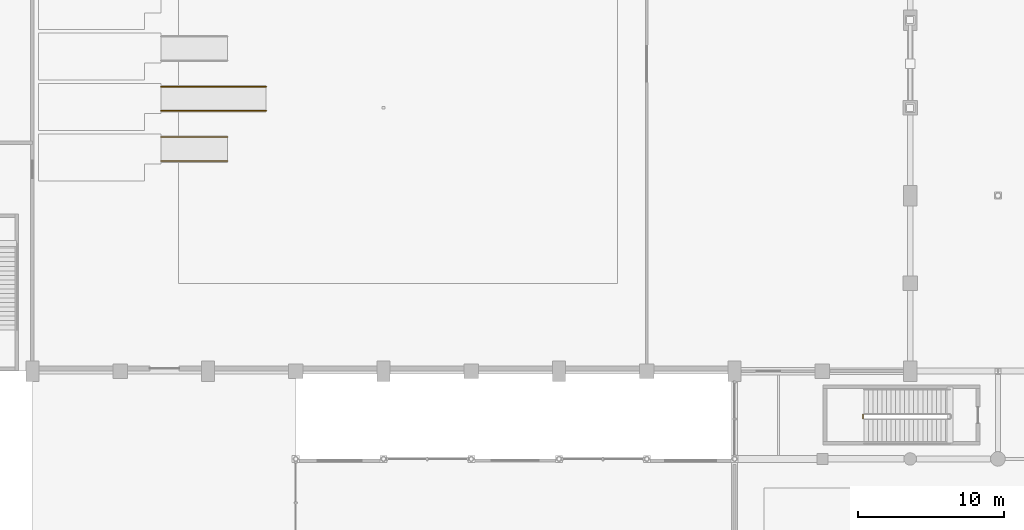
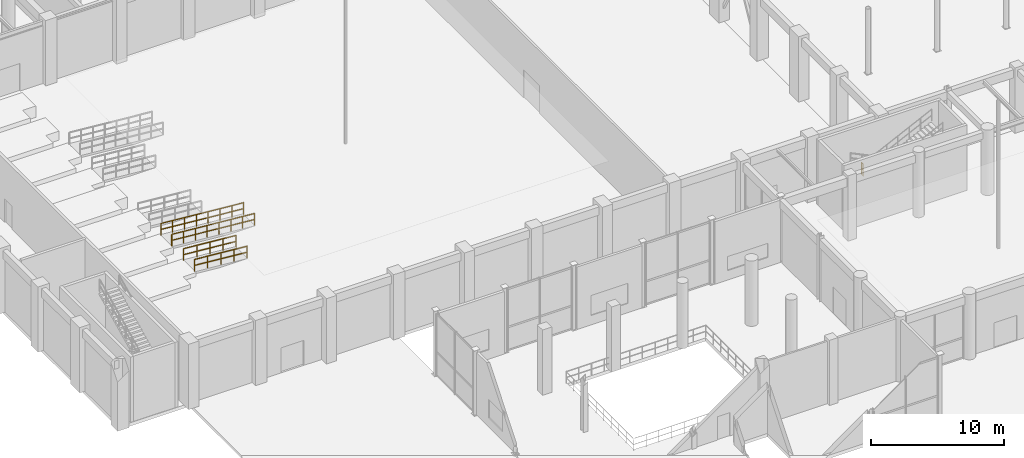
# One storey, part 98 of 106: 5 railings.
"""IFC4 building model written with IfcOpenShell, lengths in metres."""

from ifc_helpers import new_model, si_unit, direction, frame, origin, origin_2d, place, context, subcontext, project, spatial, circle, extrude, material, type_object, element, save


model = new_model("IFC4")

# Units and contexts
model_context = context("Model", 3, precision=1e-05, world=origin(), true_north=direction((0.0, 1.0)))
body_context = subcontext(model_context, "Body", "Model", "MODEL_VIEW")
ifc_project = project(units=[si_unit("LENGTHUNIT", "METRE"), si_unit("AREAUNIT", "SQUARE_METRE"), si_unit("VOLUMEUNIT", "CUBIC_METRE"), si_unit("PLANEANGLEUNIT", "RADIAN"), si_unit("MASSUNIT", "GRAM", prefix="KILO"), si_unit("THERMODYNAMICTEMPERATUREUNIT", "KELVIN"), si_unit("POWERUNIT", "WATT")], contexts=[model_context])

# Site, building, storey
site_placement = place(None, origin())
site = spatial("IfcSite", under=ifc_project, at=site_placement, CompositionType="ELEMENT")
building_placement = place(site_placement, origin())
building = spatial("IfcBuilding", under=site, at=building_placement, Name="Phaisarnlok Congress Hotel", CompositionType="ELEMENT")
storey_placement = place(building_placement, origin())
storey = spatial("IfcBuildingStorey", under=building, at=storey_placement, Name="L00", CompositionType="ELEMENT", Elevation=0.0)

# Railings
ifc_material = material(Name="Painted Galvanised Steel S275", Category="steel")
railing_type = type_object("IfcRailingType", Name="RLG-STR-GUARD", PredefinedType="BALUSTRADE", material=ifc_material)
railing_placement = place(storey_placement, frame((62.780029296875, 39.02001953125, 3.0)))
element("IfcRailing", 1, at=railing_placement, inside=storey, type_object=railing_type, Name="L00 ST-12 stair guard 2", PredefinedType="BALUSTRADE", context=body_context, shape_type="SweptSolid", body=[
    extrude(circle(Radius=0.02392578125, at=origin_2d()), frame((0.0, 0.0, 1.076171875), z_axis=(0.0, -1.0, 0.0), x_axis=(1.0, 0.0, 0.0)), (0.0, 0.0, 1.0), 0.239990234375),
    extrude(circle(Radius=0.02392578125, at=origin_2d()), frame((0.0, 0.0, 0.52587890625), z_axis=(0.0, -1.0, 0.0), x_axis=(1.0, 0.0, 0.0)), (0.0, 0.0, 1.0), 0.239990234375),
    extrude(circle(Radius=0.02099609375, at=origin_2d()), origin(), (0.0, 0.0, 1.0), 1.052001953125),
    extrude(circle(Radius=0.02099609375, at=origin_2d()), frame((0.0, -0.239990234375, 0.0)), (0.0, 0.0, 1.0), 1.052001953125),
])
for number, where, name in (
    (2, (14.780029296875, 56.360107421875, 0.3798828125), "Accessible ramp guard railing GD-03"),
    (3, (14.780029296875, 58.0, 0.3798828125), "Accessible ramp guard railing GD-03"),
):
    element("IfcRailing", number, at=place(storey_placement, frame(where)), inside=storey, type_object=railing_type, Name=name, PredefinedType="BALUSTRADE", context=body_context, shape_type="SweptSolid", body=[
        extrude(circle(Radius=0.02392578125, at=origin_2d()), frame((0.0, 0.0, 1.076171875), z_axis=(0.996547965649, 0.0, -0.083018986752), x_axis=(0.0, 1.0, 0.0)), (0.0, 0.0, 1.0), 4.575927734375),
        extrude(circle(Radius=0.02392578125, at=origin_2d()), frame((0.0, 0.0, 0.52587890625), z_axis=(0.996547965649, 0.0, -0.083018986752), x_axis=(0.0, 1.0, 0.0)), (0.0, 0.0, 1.0), 4.575927734375),
        extrude(circle(Radius=0.02099609375, at=origin_2d()), origin(), (0.0, 0.0, 1.0), 1.052001953125),
        extrude(circle(Radius=0.02099609375, at=origin_2d()), frame((1.14013671875, 0.0, -0.094970703125)), (0.0, 0.0, 1.0), 1.052001953125),
        extrude(circle(Radius=0.02099609375, at=origin_2d()), frame((2.280029296875, 0.0, -0.18994140625)), (0.0, 0.0, 1.0), 1.052001953125),
        extrude(circle(Radius=0.02099609375, at=origin_2d()), frame((3.419921875, 0.0, -0.284912109375)), (0.0, 0.0, 1.0), 1.052001953125),
        extrude(circle(Radius=0.02099609375, at=origin_2d()), frame((4.56005859375, 0.0, -0.3798828125)), (0.0, 0.0, 1.0), 1.052001953125),
    ])
for number, where, name in (
    (4, (14.780029296875, 59.800048828125, 0.60009765625), "Accessible ramp guard railing GD-03"),
    (5, (14.780029296875, 61.43994140625, 0.60009765625), "Accessible ramp guard railing GD-03"),
):
    element("IfcRailing", number, at=place(storey_placement, frame(where)), inside=storey, type_object=railing_type, Name=name, PredefinedType="BALUSTRADE", context=body_context, shape_type="SweptSolid", body=[
        extrude(circle(Radius=0.02392578125, at=origin_2d()), frame((0.0, 0.0, 1.076171875), z_axis=(0.996544592923, 0.0, -0.083059462528), x_axis=(0.0, 1.0, 0.0)), (0.0, 0.0, 1.0), 7.224853515625),
        extrude(circle(Radius=0.02392578125, at=origin_2d()), frame((0.0, 0.0, 0.52587890625), z_axis=(0.996544592923, 0.0, -0.083059462528), x_axis=(0.0, 1.0, 0.0)), (0.0, 0.0, 1.0), 7.224853515625),
        extrude(circle(Radius=0.02099609375, at=origin_2d()), origin(), (0.0, 0.0, 1.0), 1.052001953125),
        extrude(circle(Radius=0.02099609375, at=origin_2d()), frame((1.028564453125, 0.0, -0.085693359375)), (0.0, 0.0, 1.0), 1.052001953125),
        extrude(circle(Radius=0.02099609375, at=origin_2d()), frame((2.05712890625, 0.0, -0.17138671875)), (0.0, 0.0, 1.0), 1.052001953125),
        extrude(circle(Radius=0.02099609375, at=origin_2d()), frame((3.085693359375, 0.0, -0.257080078125)), (0.0, 0.0, 1.0), 1.052001953125),
        extrude(circle(Radius=0.02099609375, at=origin_2d()), frame((4.1142578125, 0.0, -0.343017578125)), (0.0, 0.0, 1.0), 1.052001953125),
        extrude(circle(Radius=0.02099609375, at=origin_2d()), frame((5.142822265625, 0.0, -0.4287109375)), (0.0, 0.0, 1.0), 1.052001953125),
        extrude(circle(Radius=0.02099609375, at=origin_2d()), frame((6.17138671875, 0.0, -0.514404296875)), (0.0, 0.0, 1.0), 1.052001953125),
        extrude(circle(Radius=0.02099609375, at=origin_2d()), frame((7.199951171875, 0.0, -0.60009765625)), (0.0, 0.0, 1.0), 1.052001953125),
    ])

save(model, "model.ifc")
